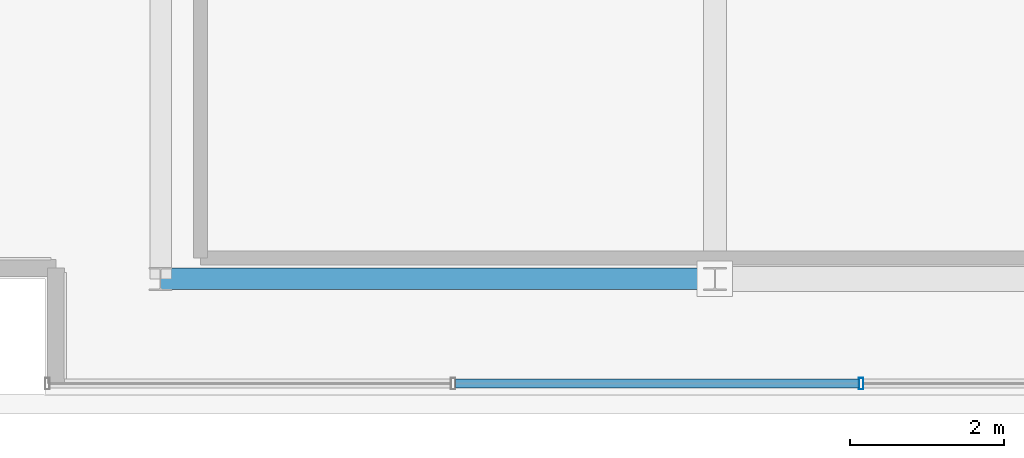
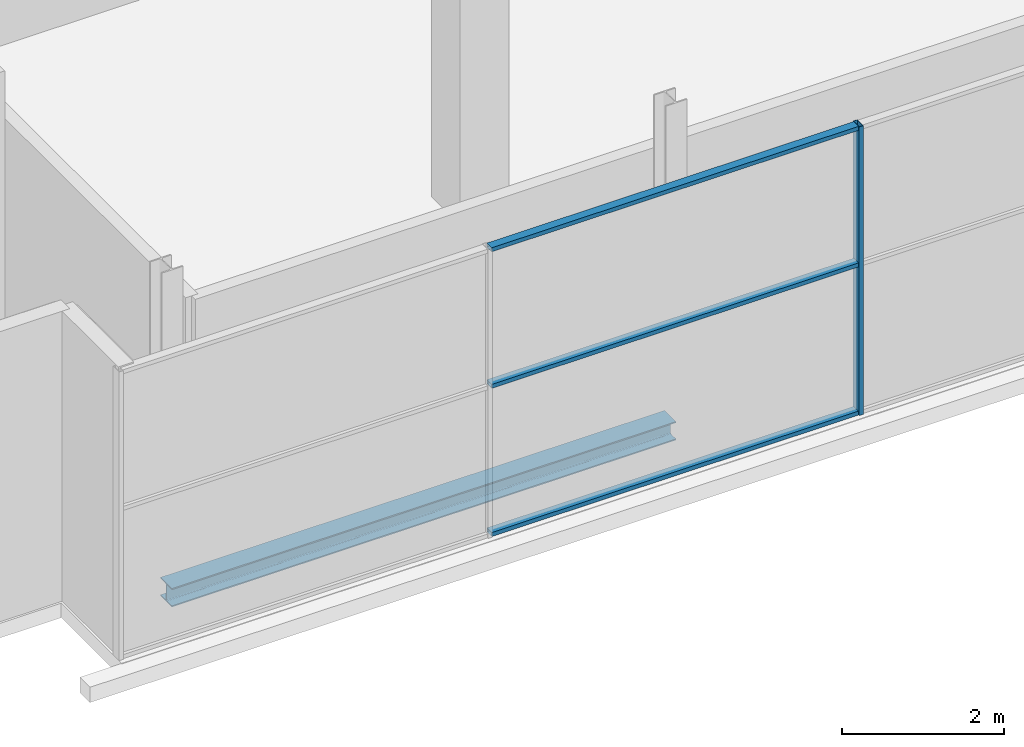
# One storey, part 3 of 26: 4 members, 1 beam, 1 element without a shape of its own.
"""IFC4 building model written with IfcOpenShell, lengths in metres."""

from ifc_helpers import new_model, si_unit, direction, frame, origin, origin_2d, place, context, subcontext, project, spatial, hollow_rectangle, i_section, extrude, source, transform, mapped, material, layer, layer_set, material_profile, profile_set, type_object, element, aggregate, save


model = new_model("IFC4")

# Units and contexts
model_context = context("Model", 3, precision=1e-05, world=origin(), true_north=direction((0.0, 1.0)))
body_context = subcontext(model_context, "Body", "Model", "MODEL_VIEW")
ifc_project = project(units=[si_unit("LENGTHUNIT", "METRE"), si_unit("AREAUNIT", "SQUARE_METRE"), si_unit("VOLUMEUNIT", "CUBIC_METRE"), si_unit("PLANEANGLEUNIT", "RADIAN"), si_unit("MASSUNIT", "GRAM", prefix="KILO")], contexts=[model_context])

# Site, building, storey
site_placement = place(None, origin())
site = spatial("IfcSite", under=ifc_project, at=site_placement, CompositionType="ELEMENT")
building_placement = place(site_placement, origin())
building = spatial("IfcBuilding", under=site, at=building_placement, Name="Zarnakvel Exchange Tower", CompositionType="ELEMENT")
storey_placement = place(building_placement, frame((0.0, 0.0, 285.39990234375)))
storey = spatial("IfcBuildingStorey", under=building, at=storey_placement, Name="Crown L80", CompositionType="ELEMENT", Elevation=285.39990234375)

# Beam
ifc_material_1 = material(Name="Steel S355", Category="steel")
ifc_material_profile_1 = material_profile(ifc_material_1, i_section(OverallWidth=0.280029296875, OverallDepth=0.280029296875, WebThickness=0.010498046875, FlangeThickness=0.01806640625, FilletRadius=0.02392578125, at=origin_2d()))
ifc_profile_set_1 = profile_set([ifc_material_profile_1], Name="Steel S355")
beam_type = type_object("IfcBeamType", Name="SP-04", PredefinedType="SPANDREL", material=ifc_profile_set_1)
beam_placement = place(storey_placement, frame((-14.39990234375, -14.550048828125, -0.35986328125), z_axis=(1.0, 0.0, 0.0), x_axis=(0.0, 1.0, 0.0)))
element("IfcBeam", 1, at=beam_placement, inside=storey, type_object=beam_type, Name="Crown L80 Tower E-W Frame Beam", PredefinedType="SPANDREL", context=body_context, shape_type="SweptSolid", body=[
    extrude(i_section(OverallWidth=0.280029296875, OverallDepth=0.280029296875, WebThickness=0.010498046875, FlangeThickness=0.01806640625, FilletRadius=0.02392578125, at=origin_2d()), origin(), (0.0, 0.0, 1.0), 7.199951171875),
])

# Curtain wall, members
ifc_material_2 = material(Name="Architectural Bronze Anodised Aluminium", Category="aluminium")
ifc_layer = layer(ifc_material_2, 0.14990234375)
ifc_layer_set = layer_set([ifc_layer], Name="Architectural Bronze Anodised Aluminium")
curtain_wall_type = type_object("IfcCurtainWallType", Name="CW-07", PredefinedType="NOTDEFINED", material=ifc_layer_set)
curtain_wall_placement = place(storey_placement, origin())
curtain_wall = element("IfcCurtainWall", 2, at=curtain_wall_placement, inside=storey, type_object=curtain_wall_type, Name="Crown L80 Curtain Wall CW-Crown L80-S (CW-07)", PredefinedType="NOTDEFINED")
ifc_material_profile_2 = material_profile(ifc_material_2, hollow_rectangle(XDim=0.14990234375, YDim=0.06005859375, WallThickness=0.00390625, at=origin_2d()))
ifc_profile_set_2 = profile_set([ifc_material_profile_2], Name="Architectural Bronze Anodised Aluminium")
member_type_1 = type_object("IfcMemberType", Name="CWM-07", PredefinedType="MULLION", material=ifc_profile_set_2)
shared_shape_1 = source(origin(), body_context, "Body", "SweptSolid", [
    extrude(hollow_rectangle(XDim=0.14990234375, YDim=0.06005859375, WallThickness=0.00390625, at=origin_2d()), origin(), (0.0, 0.0, 1.0), 4.360107421875),
])
member_1_placement = place(storey_placement, frame((-5.300048828125, -15.909912109375, 0.0), z_axis=(0.0, 0.0, 1.0), x_axis=(0.0, 1.0, 0.0)))
member_1 = element("IfcMember", 3, at=member_1_placement, type_object=member_type_1, Name="CW-07 mullion 3", PredefinedType="MULLION", context=body_context, shape_type="MappedRepresentation", body=[
    mapped(shared_shape_1, transform((0.0, 0.0, 0.0), x_axis=(1.0, 0.0, 0.0), y_axis=(0.0, 1.0, 0.0), z_axis=(0.0, 0.0, 1.0), scale=1.0)),
])
ifc_material_profile_3 = material_profile(ifc_material_2, hollow_rectangle(XDim=0.1201171875, YDim=0.06005859375, WallThickness=0.00390625, at=origin_2d()))
ifc_profile_set_3 = profile_set([ifc_material_profile_3], Name="Architectural Bronze Anodised Aluminium")
member_type_2 = type_object("IfcMemberType", Name="CWT-07", PredefinedType="USERDEFINED", material=ifc_profile_set_3)
shared_shape_2 = source(origin(), body_context, "Body", "SweptSolid", [
    extrude(hollow_rectangle(XDim=0.1201171875, YDim=0.06005859375, WallThickness=0.00390625, at=origin_2d()), origin(), (0.0, 0.0, 1.0), 5.239990234375),
])
member_2_placement = place(storey_placement, frame((-10.570068359375, -15.909912109375, 0.030029296875), z_axis=(1.0, 0.0, 0.0), x_axis=(0.0, 1.0, 0.0)))
member_2 = element("IfcMember", 4, at=member_2_placement, type_object=member_type_2, Name="CW-07 transom 2.1", ObjectType="TRANSOM", PredefinedType="USERDEFINED", context=body_context, shape_type="MappedRepresentation", body=[
    mapped(shared_shape_2, transform((0.0, 0.0, 0.0), x_axis=(1.0, 0.0, 0.0), y_axis=(0.0, 1.0, 0.0), z_axis=(0.0, 0.0, 1.0), scale=1.0)),
])
member_3_placement = place(storey_placement, frame((-10.570068359375, -15.909912109375, 2.267333984375), z_axis=(1.0, 0.0, 0.0), x_axis=(0.0, 1.0, 0.0)))
member_3 = element("IfcMember", 5, at=member_3_placement, type_object=member_type_2, Name="CW-07 transom 2.2", ObjectType="TRANSOM", PredefinedType="USERDEFINED", context=body_context, shape_type="MappedRepresentation", body=[
    mapped(shared_shape_2, transform((0.0, 0.0, 0.0), x_axis=(1.0, 0.0, 0.0), y_axis=(0.0, 1.0, 0.0), z_axis=(0.0, 0.0, 1.0), scale=1.0)),
])
member_4_placement = place(storey_placement, frame((-10.570068359375, -15.909912109375, 4.330078125), z_axis=(1.0, 0.0, 0.0), x_axis=(0.0, 1.0, 0.0)))
member_4 = element("IfcMember", 6, at=member_4_placement, type_object=member_type_2, Name="CW-07 transom 2.3", ObjectType="TRANSOM", PredefinedType="USERDEFINED", context=body_context, shape_type="MappedRepresentation", body=[
    mapped(shared_shape_2, transform((0.0, 0.0, 0.0), x_axis=(1.0, 0.0, 0.0), y_axis=(0.0, 1.0, 0.0), z_axis=(0.0, 0.0, 1.0), scale=1.0)),
])
aggregate(curtain_wall, [member_1, member_2, member_3, member_4])

save(model, "model.ifc")
